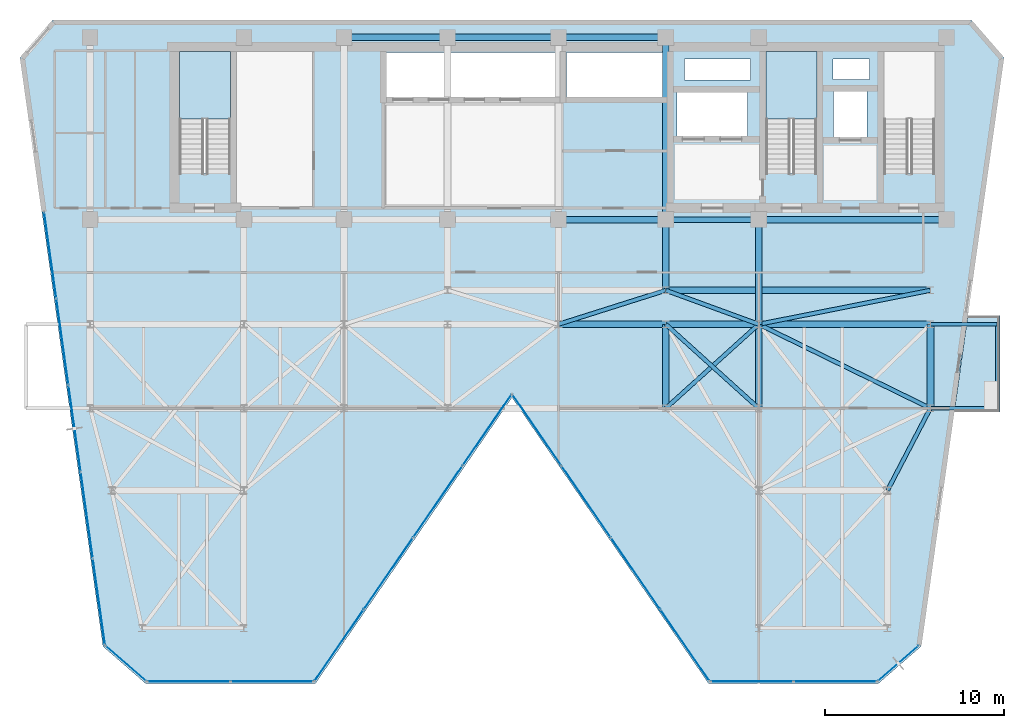
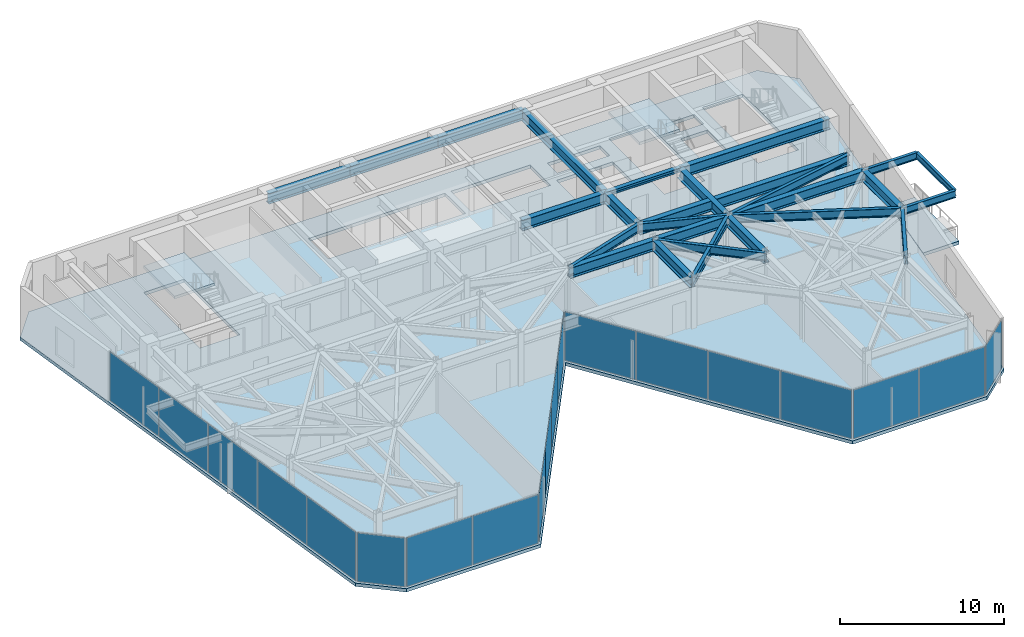
# One storey, part 21 of 26: 26 beams, 19 plates, 4 slabs, 9 elements without a shape of their own.
"""IFC4 building model written with IfcOpenShell, lengths in metres."""

from ifc_helpers import new_model, si_unit, direction, frame, origin, origin_2d, place, context, subcontext, project, spatial, polyline, rectangle, i_section, outline, extrude, material, layer, layer_set, material_profile, profile_set, type_object, element, aggregate, save


model = new_model("IFC4")

# Units and contexts
model_context = context("Model", 3, precision=1e-05, world=origin(), true_north=direction((0.0, 1.0)))
body_context = subcontext(model_context, "Body", "Model", "MODEL_VIEW")
ifc_project = project(units=[si_unit("LENGTHUNIT", "METRE"), si_unit("AREAUNIT", "SQUARE_METRE"), si_unit("VOLUMEUNIT", "CUBIC_METRE"), si_unit("PLANEANGLEUNIT", "RADIAN"), si_unit("MASSUNIT", "GRAM", prefix="KILO")], contexts=[model_context])

# Site, building, storey
site_placement = place(None, origin())
site = spatial("IfcSite", under=ifc_project, at=site_placement, CompositionType="ELEMENT")
building_placement = place(site_placement, origin())
building = spatial("IfcBuilding", under=site, at=building_placement, Name="Kravanh Interchange Tower", CompositionType="ELEMENT")
storey_placement = place(building_placement, frame((0.0, 0.0, 204.5)))
storey = spatial("IfcBuildingStorey", under=building, at=storey_placement, Name="L49", CompositionType="ELEMENT", Elevation=204.5)

# Beams
ifc_material_1 = material(Name="Structural Steel S355", Category="steel")
ifc_material_profile_1 = material_profile(ifc_material_1, i_section(OverallWidth=0.381103515625, OverallDepth=0.77294921875, WebThickness=0.0166015625, FlangeThickness=0.027099609375, FilletRadius=0.02490234375, at=origin_2d()), Name="W30X173")
ifc_profile_set_1 = profile_set([ifc_material_profile_1], Name="Structural Steel S355")
beam_type_1 = type_object("IfcBeamType", Name="Floor Beam W30X173 Structural Steel S355", PredefinedType="BEAM", material=ifc_profile_set_1)
beam_1_placement = place(storey_placement, frame((66.5, 37.35009765625, 3.368408203125), z_axis=(-1.0, 0.0, 0.0), x_axis=(0.0, -1.0, 0.0)))
element("IfcBeam", 1, at=beam_1_placement, inside=storey, type_object=beam_type_1, Name="L49 Primary Floor Girder 5", PredefinedType="BEAM", context=body_context, shape_type="SweptSolid", body=[
    extrude(i_section(OverallWidth=0.381103515625, OverallDepth=0.77294921875, WebThickness=0.0166015625, FlangeThickness=0.027099609375, FilletRadius=0.02490234375, at=origin_2d()), origin(), (0.0, 0.0, 1.0), 10.5),
])
beam_2_placement = place(storey_placement, frame((56.0, 37.35009765625, 3.368408203125), z_axis=(0.0, -1.0, 0.0), x_axis=(1.0, 0.0, 0.0)))
element("IfcBeam", 2, at=beam_2_placement, inside=storey, type_object=beam_type_1, Name="L49 Primary Floor Girder 7", PredefinedType="BEAM", context=body_context, shape_type="SweptSolid", body=[
    extrude(i_section(OverallWidth=0.381103515625, OverallDepth=0.77294921875, WebThickness=0.0166015625, FlangeThickness=0.027099609375, FilletRadius=0.02490234375, at=origin_2d()), origin(), (0.0, 0.0, 1.0), 5.85009765625),
])
beam_3_placement = place(storey_placement, frame((50.800048828125, 47.550048828125, 3.368408203125), z_axis=(-1.0, 0.0, 0.0), x_axis=(0.0, -1.0, 0.0)))
element("IfcBeam", 3, at=beam_3_placement, inside=storey, type_object=beam_type_1, Name="L49 Primary Floor Girder 8", PredefinedType="BEAM", context=body_context, shape_type="SweptSolid", body=[
    extrude(i_section(OverallWidth=0.381103515625, OverallDepth=0.77294921875, WebThickness=0.0166015625, FlangeThickness=0.027099609375, FilletRadius=0.02490234375, at=origin_2d()), origin(), (0.0, 0.0, 1.0), 6.0),
])
beam_4_placement = place(storey_placement, frame((50.800048828125, 47.550048828125, 3.368408203125), z_axis=(0.0, -1.0, 0.0), x_axis=(1.0, 0.0, 0.0)))
element("IfcBeam", 4, at=beam_4_placement, inside=storey, type_object=beam_type_1, Name="L49 Primary Floor Girder 9", PredefinedType="BEAM", context=body_context, shape_type="SweptSolid", body=[
    extrude(i_section(OverallWidth=0.381103515625, OverallDepth=0.77294921875, WebThickness=0.0166015625, FlangeThickness=0.027099609375, FilletRadius=0.02490234375, at=origin_2d()), origin(), (0.0, 0.0, 1.0), 10.199951171875),
])
beam_5_placement = place(storey_placement, frame((50.800048828125, 37.35009765625, 3.368408203125), z_axis=(0.0, -1.0, 0.0), x_axis=(1.0, 0.0, 0.0)))
element("IfcBeam", 5, at=beam_5_placement, inside=storey, type_object=beam_type_1, Name="L49 Primary Floor Girder 10", PredefinedType="BEAM", context=body_context, shape_type="SweptSolid", body=[
    extrude(i_section(OverallWidth=0.381103515625, OverallDepth=0.77294921875, WebThickness=0.0166015625, FlangeThickness=0.027099609375, FilletRadius=0.02490234375, at=origin_2d()), origin(), (0.0, 0.0, 1.0), 3.9501953125),
])
beam_6_placement = place(storey_placement, frame((50.800048828125, 37.35009765625, 3.368408203125), z_axis=(-1.0, 0.0, 0.0), x_axis=(0.0, -1.0, 0.0)))
element("IfcBeam", 6, at=beam_6_placement, inside=storey, type_object=beam_type_1, Name="L49 Primary Floor Girder 11", PredefinedType="BEAM", context=body_context, shape_type="SweptSolid", body=[
    extrude(i_section(OverallWidth=0.381103515625, OverallDepth=0.77294921875, WebThickness=0.0166015625, FlangeThickness=0.027099609375, FilletRadius=0.02490234375, at=origin_2d()), origin(), (0.0, 0.0, 1.0), 6.0),
])
beam_7_placement = place(storey_placement, frame((44.800048828125, 47.550048828125, 3.368408203125), z_axis=(-1.0, 0.0, 0.0), x_axis=(0.0, -1.0, 0.0)))
element("IfcBeam", 7, at=beam_7_placement, inside=storey, type_object=beam_type_1, Name="L49 Primary Floor Girder 15", PredefinedType="BEAM", context=body_context, shape_type="SweptSolid", body=[
    extrude(i_section(OverallWidth=0.381103515625, OverallDepth=0.77294921875, WebThickness=0.0166015625, FlangeThickness=0.027099609375, FilletRadius=0.02490234375, at=origin_2d()), origin(), (0.0, 0.0, 1.0), 6.199951171875),
])
beam_8_placement = place(storey_placement, frame((38.60009765625, 47.550048828125, 3.368408203125), z_axis=(-1.0, 0.0, 0.0), x_axis=(0.0, -1.0, 0.0)))
element("IfcBeam", 8, at=beam_8_placement, inside=storey, type_object=beam_type_1, Name="L49 Primary Floor Girder 19", PredefinedType="BEAM", context=body_context, shape_type="SweptSolid", body=[
    extrude(i_section(OverallWidth=0.381103515625, OverallDepth=0.77294921875, WebThickness=0.0166015625, FlangeThickness=0.027099609375, FilletRadius=0.02490234375, at=origin_2d()), origin(), (0.0, 0.0, 1.0), 5.800048828125),
])
for number, where, z_axis, x_axis, name in (
    (9, (50.800048828125, 26.800048828125, 3.368408203125), (0.0, 1.0, 0.0), (-1.0, 0.0, 0.0), "L49 Primary Floor Girder 49"),
    (10, (56.0, 26.800048828125, 3.368408203125), (0.0, 1.0, 0.0), (-1.0, 0.0, 0.0), "L49 Primary Floor Girder 54"),
    (11, (65.60009765625, 26.800048828125, 3.368408203125), (0.0, 1.0, 0.0), (-1.0, 0.0, 0.0), "L49 Primary Floor Girder 57"),
):
    element("IfcBeam", number, at=place(storey_placement, frame(where, z_axis=z_axis, x_axis=x_axis)), inside=storey, type_object=beam_type_1, Name=name, PredefinedType="BEAM", context=body_context, shape_type="SweptSolid", body=[
        extrude(i_section(OverallWidth=0.381103515625, OverallDepth=0.77294921875, WebThickness=0.0166015625, FlangeThickness=0.027099609375, FilletRadius=0.02490234375, at=origin_2d()), origin(), (0.0, 0.0, 1.0), 4.699951171875),
    ])
beam_9_placement = place(storey_placement, frame((44.800048828125, 31.5, 3.368408203125), z_axis=(1.0, 0.0, 0.0), x_axis=(0.0, 1.0, 0.0)))
element("IfcBeam", 12, at=beam_9_placement, inside=storey, type_object=beam_type_1, Name="L49 Primary Floor Girder 74", PredefinedType="BEAM", context=body_context, shape_type="SweptSolid", body=[
    extrude(i_section(OverallWidth=0.381103515625, OverallDepth=0.77294921875, WebThickness=0.0166015625, FlangeThickness=0.027099609375, FilletRadius=0.02490234375, at=origin_2d()), origin(), (0.0, 0.0, 1.0), 6.0),
])
beam_10_placement = place(storey_placement, frame((50.800048828125, 31.5, 3.368408203125), z_axis=(1.0, 0.0, 0.0), x_axis=(0.0, 1.0, 0.0)))
element("IfcBeam", 13, at=beam_10_placement, inside=storey, type_object=beam_type_1, Name="L49 Primary Floor Girder 77", PredefinedType="BEAM", context=body_context, shape_type="SweptSolid", body=[
    extrude(i_section(OverallWidth=0.381103515625, OverallDepth=0.77294921875, WebThickness=0.0166015625, FlangeThickness=0.027099609375, FilletRadius=0.02490234375, at=origin_2d()), origin(), (0.0, 0.0, 1.0), 5.199951171875),
])
beam_11_placement = place(storey_placement, frame((56.0, 31.5, 3.368408203125), z_axis=(1.0, 0.0, 0.0), x_axis=(0.0, 1.0, 0.0)))
element("IfcBeam", 14, at=beam_11_placement, inside=storey, type_object=beam_type_1, Name="L49 Primary Floor Girder 81", PredefinedType="BEAM", context=body_context, shape_type="SweptSolid", body=[
    extrude(i_section(OverallWidth=0.381103515625, OverallDepth=0.77294921875, WebThickness=0.0166015625, FlangeThickness=0.027099609375, FilletRadius=0.02490234375, at=origin_2d()), origin(), (0.0, 0.0, 1.0), 9.60009765625),
])
beam_12_placement = place(storey_placement, frame((50.800048828125, 33.39990234375, 3.368408203125), z_axis=(1.0, 0.0, 0.0), x_axis=(0.0, 1.0, 0.0)))
element("IfcBeam", 15, at=beam_12_placement, inside=storey, type_object=beam_type_1, Name="L49 Primary Floor Girder 95", PredefinedType="BEAM", context=body_context, shape_type="SweptSolid", body=[
    extrude(i_section(OverallWidth=0.381103515625, OverallDepth=0.77294921875, WebThickness=0.0166015625, FlangeThickness=0.027099609375, FilletRadius=0.02490234375, at=origin_2d()), origin(), (0.0, 0.0, 1.0), 14.800048828125),
])
ifc_material_2 = material(Name="Structural Steel S355", Category="steel")
ifc_material_profile_2 = material_profile(ifc_material_2, i_section(OverallWidth=0.18994140625, OverallDepth=0.45703125, WebThickness=0.009033203125, FlangeThickness=0.014404296875, FilletRadius=0.01806640625, at=origin_2d()), Name="W18X50")
ifc_profile_set_2 = profile_set([ifc_material_profile_2], Name="Structural Steel S355")
beam_type_2 = type_object("IfcBeamType", Name="Floor Joist W18X50 Structural Steel S355", PredefinedType="JOIST", material=ifc_profile_set_2)
beam_13_placement = place(storey_placement, frame((69.330078125, 26.800048828125, 3.526611328125), z_axis=(0.0, 1.0, 0.0), x_axis=(-1.0, 0.0, 0.0)))
element("IfcBeam", 16, at=beam_13_placement, inside=storey, type_object=beam_type_2, Name="L49 Balcony Edge Tie Beam E", PredefinedType="JOIST", context=body_context, shape_type="SweptSolid", body=[
    extrude(i_section(OverallWidth=0.18994140625, OverallDepth=0.45703125, WebThickness=0.009033203125, FlangeThickness=0.014404296875, FilletRadius=0.01806640625, at=origin_2d()), origin(), (0.0, 0.0, 1.0), 4.699951171875),
])
ifc_material_3 = material(Name="Structural Steel S355", Category="steel")
ifc_material_profile_3 = material_profile(ifc_material_3, i_section(OverallWidth=0.304931640625, OverallDepth=0.306884765625, WebThickness=0.010009765625, FlangeThickness=0.015380859375, FilletRadius=0.014892578125, at=origin_2d()), Name="W12X65")
ifc_profile_set_3 = profile_set([ifc_material_profile_3], Name="Structural Steel S355")
beam_type_3 = type_object("IfcBeamType", Name="Floor Lintel W12X65 Structural Steel S355", PredefinedType="LINTEL", material=ifc_profile_set_3)
beam_14_placement = place(storey_placement, frame((50.800048828125, 37.35009765625, 3.6015625), z_axis=(1.0, 0.0, 0.0), x_axis=(0.0, 1.0, 0.0)))
element("IfcBeam", 17, at=beam_14_placement, inside=storey, type_object=beam_type_3, Name="L49 Core Coupling Lintel 1", PredefinedType="LINTEL", context=body_context, shape_type="SweptSolid", body=[
    extrude(i_section(OverallWidth=0.304931640625, OverallDepth=0.306884765625, WebThickness=0.010009765625, FlangeThickness=0.015380859375, FilletRadius=0.014892578125, at=origin_2d()), origin(), (0.0, 0.0, 1.0), 5.199951171875),
])
ifc_material_4 = material(Name="Structural Steel S355", Category="steel")
ifc_material_profile_4 = material_profile(ifc_material_4, i_section(OverallWidth=0.2099609375, OverallDepth=0.537109375, WebThickness=0.010986328125, FlangeThickness=0.017333984375, FilletRadius=0.02001953125, at=origin_2d()), Name="W21X68")
ifc_profile_set_4 = profile_set([ifc_material_profile_4], Name="Structural Steel S355")
beam_type_4 = type_object("IfcBeamType", Name="Floor Spandrel W21X68 Structural Steel S355", PredefinedType="SPANDREL", material=ifc_profile_set_4)
for number, where, z_axis, x_axis, name in (
    (18, (65.60009765625, 26.800048828125, 3.486572265625), (1.0, 0.0, 0.0), (0.0, 1.0, 0.0), "L49 Balcony Cantilever Outrigger E1"),
    (19, (65.60009765625, 31.5, 3.486572265625), (1.0, 0.0, 0.0), (0.0, 1.0, 0.0), "L49 Balcony Cantilever Outrigger E2"),
):
    element("IfcBeam", number, at=place(storey_placement, frame(where, z_axis=z_axis, x_axis=x_axis)), inside=storey, type_object=beam_type_4, Name=name, PredefinedType="SPANDREL", context=body_context, shape_type="SweptSolid", body=[
        extrude(i_section(OverallWidth=0.2099609375, OverallDepth=0.537109375, WebThickness=0.010986328125, FlangeThickness=0.017333984375, FilletRadius=0.02001953125, at=origin_2d()), origin(), (0.0, 0.0, 1.0), 3.72998046875),
    ])
ifc_material_5 = material(Name="Structural Steel S355", Category="steel")
ifc_material_profile_5 = material_profile(ifc_material_5, i_section(OverallWidth=0.22802734375, OverallDepth=0.60791015625, WebThickness=0.01123046875, FlangeThickness=0.017333984375, FilletRadius=0.02197265625, at=origin_2d()), Name="W24X76")
ifc_profile_set_5 = profile_set([ifc_material_profile_5], Name="Structural Steel S355")
beam_type_5 = type_object("IfcBeamType", Name="Floor Spandrel W24X76 Structural Steel S355", PredefinedType="SPANDREL", material=ifc_profile_set_5)
for number, where, z_axis, x_axis, name in (
    (20, (50.800048828125, 26.800048828125, 3.450927734375), (0.741874009795, 0.670539300557, 0.0), (-0.670539300557, 0.741874009795, 0.0), "L49 Perimeter Spandrel 52"),
    (21, (56.0, 26.800048828125, 3.450927734375), (-0.741874009795, 0.670539300557, 0.0), (-0.670539300557, -0.741874009795, 0.0), "L49 Perimeter Spandrel 55"),
):
    element("IfcBeam", number, at=place(storey_placement, frame(where, z_axis=z_axis, x_axis=x_axis)), inside=storey, type_object=beam_type_5, Name=name, PredefinedType="SPANDREL", context=body_context, shape_type="SweptSolid", body=[
        extrude(i_section(OverallWidth=0.22802734375, OverallDepth=0.60791015625, WebThickness=0.01123046875, FlangeThickness=0.017333984375, FilletRadius=0.02197265625, at=origin_2d()), origin(), (0.0, 0.0, 1.0), 7.00927734375),
    ])
beam_15_placement = place(storey_placement, frame((65.60009765625, 26.800048828125, 3.450927734375), z_axis=(-0.462580479178, -0.886577295155, 0.0), x_axis=(0.886577295155, -0.462580479178, 0.0)))
element("IfcBeam", 22, at=beam_15_placement, inside=storey, type_object=beam_type_5, Name="L49 Perimeter Spandrel 58", PredefinedType="SPANDREL", context=body_context, shape_type="SweptSolid", body=[
    extrude(i_section(OverallWidth=0.22802734375, OverallDepth=0.60791015625, WebThickness=0.01123046875, FlangeThickness=0.017333984375, FilletRadius=0.02197265625, at=origin_2d()), origin(), (0.0, 0.0, 1.0), 5.188720703125),
])
beam_16_placement = place(storey_placement, frame((65.60009765625, 26.800048828125, 3.450927734375), z_axis=(-0.898141688387, 0.439706160499, 0.0), x_axis=(-0.439706160499, -0.898141688387, 0.0)))
element("IfcBeam", 23, at=beam_16_placement, inside=storey, type_object=beam_type_5, Name="L49 Perimeter Spandrel 60", PredefinedType="SPANDREL", context=body_context, shape_type="SweptSolid", body=[
    extrude(i_section(OverallWidth=0.22802734375, OverallDepth=0.60791015625, WebThickness=0.01123046875, FlangeThickness=0.017333984375, FilletRadius=0.02197265625, at=origin_2d()), origin(), (0.0, 0.0, 1.0), 10.68896484375),
])
beam_17_placement = place(storey_placement, frame((44.800048828125, 31.5, 3.450927734375), z_axis=(0.953346691051, 0.301877602122, 0.0), x_axis=(-0.301877602122, 0.953346691051, 0.0)))
element("IfcBeam", 24, at=beam_17_placement, inside=storey, type_object=beam_type_5, Name="L49 Perimeter Spandrel 75", PredefinedType="SPANDREL", context=body_context, shape_type="SweptSolid", body=[
    extrude(i_section(OverallWidth=0.22802734375, OverallDepth=0.60791015625, WebThickness=0.01123046875, FlangeThickness=0.017333984375, FilletRadius=0.02197265625, at=origin_2d()), origin(), (0.0, 0.0, 1.0), 6.293701171875),
])
beam_18_placement = place(storey_placement, frame((56.0, 31.5, 3.450927734375), z_axis=(-0.93926957103, 0.343180233896, 0.0), x_axis=(-0.343180233896, -0.93926957103, 0.0)))
element("IfcBeam", 25, at=beam_18_placement, inside=storey, type_object=beam_type_5, Name="L49 Perimeter Spandrel 80", PredefinedType="SPANDREL", context=body_context, shape_type="SweptSolid", body=[
    extrude(i_section(OverallWidth=0.22802734375, OverallDepth=0.60791015625, WebThickness=0.01123046875, FlangeThickness=0.017333984375, FilletRadius=0.02197265625, at=origin_2d()), origin(), (0.0, 0.0, 1.0), 5.5361328125),
])
beam_19_placement = place(storey_placement, frame((56.0, 31.5, 3.450927734375), z_axis=(0.980974000807, 0.194139150457, 0.0), x_axis=(-0.194139150457, 0.980974000807, 0.0)))
element("IfcBeam", 26, at=beam_19_placement, inside=storey, type_object=beam_type_5, Name="L49 Perimeter Spandrel 82", PredefinedType="SPANDREL", context=body_context, shape_type="SweptSolid", body=[
    extrude(i_section(OverallWidth=0.22802734375, OverallDepth=0.60791015625, WebThickness=0.01123046875, FlangeThickness=0.017333984375, FilletRadius=0.02197265625, at=origin_2d()), origin(), (0.0, 0.0, 1.0), 9.786376953125),
])

# Slab
ifc_material_6 = material(Name="Concrete C50/60", Category="concrete")
ifc_layer_1 = layer(ifc_material_6, 0.2451171875)
ifc_layer_set_1 = layer_set([ifc_layer_1], Name="Composite Floor Slab Concrete C50/60 245mm")
slab_type_1 = type_object("IfcSlabType", Name="Composite Floor Slab Concrete C50/60 245mm", PredefinedType="FLOOR", material=ifc_layer_set_1)
slab_1_placement = place(storey_placement, frame((0.0, 0.0, -0.2451171875)))
element("IfcSlab", 27, at=slab_1_placement, inside=storey, type_object=slab_type_1, Name="L49 Structural Floor Slab", PredefinedType="FLOOR", context=body_context, shape_type="SweptSolid", body=[
    extrude(outline(polyline([(19.32177734375, 13.4794921875), (21.714111328125, 11.39990234375), (31.199951171875, 11.39990234375), (42.199951171875, 27.39990234375), (53.199951171875, 11.39990234375), (62.685791015625, 11.39990234375), (65.078125, 13.4794921875), (69.707763671875, 46.42041015625), (67.89990234375, 48.5), (16.5, 48.5), (14.6923828125, 46.42041015625), (19.32177734375, 13.4794921875)]), holes=[polyline([(65.85009765625, 39.925048828125), (65.85009765625, 46.75), (63.0, 46.75), (63.0, 39.925048828125), (65.85009765625, 39.925048828125)]), polyline([(59.25, 39.925048828125), (59.25, 46.75), (56.39990234375, 46.75), (56.39990234375, 39.925048828125), (59.25, 39.925048828125)]), polyline([(26.449951171875, 39.925048828125), (26.449951171875, 46.75), (23.60009765625, 46.75), (23.60009765625, 39.925048828125), (26.449951171875, 39.925048828125)]), polyline([(35.179931640625, 44.219970703125), (44.840087890625, 44.219970703125), (44.840087890625, 46.699951171875), (35.179931640625, 46.699951171875), (35.179931640625, 44.219970703125)]), polyline([(45.239990234375, 44.219970703125), (50.840087890625, 44.219970703125), (50.840087890625, 46.699951171875), (45.239990234375, 46.699951171875), (45.239990234375, 44.219970703125)]), polyline([(51.419921875, 42.02001953125), (55.3798828125, 42.02001953125), (55.3798828125, 44.47998046875), (51.419921875, 44.47998046875), (51.419921875, 42.02001953125)]), polyline([(60.179931640625, 41.97998046875), (62.06005859375, 41.97998046875), (62.06005859375, 44.52001953125), (60.179931640625, 44.52001953125), (60.179931640625, 41.97998046875)]), polyline([(60.14990234375, 45.199951171875), (62.199951171875, 45.199951171875), (62.199951171875, 46.35009765625), (60.14990234375, 46.35009765625), (60.14990234375, 45.199951171875)]), polyline([(51.85009765625, 45.14990234375), (55.550048828125, 45.14990234375), (55.550048828125, 46.35009765625), (51.85009765625, 46.35009765625), (51.85009765625, 45.14990234375)])]), origin(), (0.0, 0.0, 1.0), 0.2451171875),
])

# Stair, slab
ifc_material_7 = material(Name="Concrete C50/60", Category="concrete")
stair_type = type_object("IfcStairType", Name="Core Fire Exit Dogleg Stair Concrete C50/60", PredefinedType="HALF_TURN_STAIR", material=ifc_material_7)
stair_1_placement = place(storey_placement, origin())
stair_1 = element("IfcStair", 28, at=stair_1_placement, inside=storey, type_object=stair_type, Name="L49 Exit Stair ST2", PredefinedType="HALF_TURN_STAIR")
ifc_material_8 = material(Name="Concrete C50/60", Category="concrete")
ifc_layer_2 = layer(ifc_material_8, 0.199951171875)
ifc_layer_set_2 = layer_set([ifc_layer_2], Name="Concrete C50/60 Stair Half-Landing Slab 200mm")
slab_type_2 = type_object("IfcSlabType", Name="Concrete C50/60 Stair Half-Landing Slab 200mm", PredefinedType="LANDING", material=ifc_layer_set_2)
slab_2_placement = place(storey_placement, frame((0.0, 0.0, 1.800048828125)))
slab_2 = element("IfcSlab", 29, at=slab_2_placement, type_object=slab_type_2, Name="ST2 landing 1", PredefinedType="LANDING", context=body_context, shape_type="SweptSolid", body=[
    extrude(outline(polyline([(59.25, 42.97998046875), (59.25, 46.75), (56.39990234375, 46.75), (56.39990234375, 42.97998046875), (59.25, 42.97998046875)])), origin(), (0.0, 0.0, 1.0), 0.199951171875),
])
aggregate(stair_1, [slab_2])

stair_2_placement = place(storey_placement, origin())
stair_2 = element("IfcStair", 30, at=stair_2_placement, inside=storey, type_object=stair_type, Name="L49 Exit Stair ST3", PredefinedType="HALF_TURN_STAIR")
slab_3_placement = place(storey_placement, frame((0.0, 0.0, 1.800048828125)))
slab_3 = element("IfcSlab", 31, at=slab_3_placement, type_object=slab_type_2, Name="ST3 landing 1", PredefinedType="LANDING", context=body_context, shape_type="SweptSolid", body=[
    extrude(outline(polyline([(26.449951171875, 42.97998046875), (26.449951171875, 46.75), (23.60009765625, 46.75), (23.60009765625, 42.97998046875), (26.449951171875, 42.97998046875)])), origin(), (0.0, 0.0, 1.0), 0.199951171875),
])
aggregate(stair_2, [slab_3])

# Curtain wall, plates
ifc_material_9 = material(Name="Anodised Bronze Aluminium", Category="aluminium")
ifc_layer_3 = layer(ifc_material_9, 0.179931640625)
ifc_layer_set_3 = layer_set([ifc_layer_3], Name="Unitised Curtain Wall System CW-Z3 Upper Office")
curtain_wall_type = type_object("IfcCurtainWallType", Name="Unitised Curtain Wall System CW-Z3 Upper Office", PredefinedType="NOTDEFINED", material=ifc_layer_set_3)
curtain_wall_1_placement = place(storey_placement, origin())
curtain_wall_1 = element("IfcCurtainWall", 32, at=curtain_wall_1_placement, inside=storey, type_object=curtain_wall_type, Name="L49 Unitised Curtain Wall CW-L49-01", PredefinedType="NOTDEFINED")
ifc_material_10 = material(Name="Low-E Laminated Architectural Glass", Category="glass")
ifc_layer_4 = layer(ifc_material_10, 0.02392578125)
ifc_layer_set_4 = layer_set([ifc_layer_4], Name="High-Selectivity Double Glazing 24mm")
plate_type = type_object("IfcPlateType", Name="High-Selectivity Double Glazing 24mm", PredefinedType="CURTAIN_PANEL", material=ifc_layer_set_4)
plate_1_placement = place(storey_placement, frame((19.09130859375, 15.9814453125, 0.06005859375), z_axis=(0.0, 0.0, 1.0), x_axis=(-0.139172209446, 0.990268194035, 0.0)))
plate_1 = element("IfcPlate", 33, at=plate_1_placement, type_object=plate_type, Name="CW-Z3 panel 1.1", PredefinedType="CURTAIN_PANEL", context=body_context, shape_type="SweptSolid", body=[
    extrude(rectangle(XDim=4.8095703125, YDim=0.02392578125, at=origin_2d()), origin(), (0.0, 0.0, 1.0), 3.635009765625),
])
plate_2_placement = place(storey_placement, frame((18.41162109375, 20.818603515625, 0.06005859375), z_axis=(0.0, 0.0, 1.0), x_axis=(-0.139172209446, 0.990268194035, 0.0)))
plate_2 = element("IfcPlate", 34, at=plate_2_placement, type_object=plate_type, Name="CW-Z3 panel 2.1", PredefinedType="CURTAIN_PANEL", context=body_context, shape_type="SweptSolid", body=[
    extrude(rectangle(XDim=4.839599609375, YDim=0.02392578125, at=origin_2d()), origin(), (0.0, 0.0, 1.0), 3.635009765625),
])
plate_3_placement = place(storey_placement, frame((17.729736328125, 25.67041015625, 0.06005859375), z_axis=(0.0, 0.0, 1.0), x_axis=(-0.139172209446, 0.990268194035, 0.0)))
plate_3 = element("IfcPlate", 35, at=plate_3_placement, type_object=plate_type, Name="CW-Z3 panel 3.1", PredefinedType="CURTAIN_PANEL", context=body_context, shape_type="SweptSolid", body=[
    extrude(rectangle(XDim=4.839599609375, YDim=0.02392578125, at=origin_2d()), origin(), (0.0, 0.0, 1.0), 3.635009765625),
])
plate_4_placement = place(storey_placement, frame((17.0478515625, 30.522216796875, 0.06005859375), z_axis=(0.0, 0.0, 1.0), x_axis=(-0.139172209446, 0.990268194035, 0.0)))
plate_4 = element("IfcPlate", 36, at=plate_4_placement, type_object=plate_type, Name="CW-Z3 panel 4.1", PredefinedType="CURTAIN_PANEL", context=body_context, shape_type="SweptSolid", body=[
    extrude(rectangle(XDim=4.839599609375, YDim=0.02392578125, at=origin_2d()), origin(), (0.0, 0.0, 1.0), 3.635009765625),
])
plate_5_placement = place(storey_placement, frame((16.367919921875, 35.359130859375, 0.06005859375), z_axis=(0.0, 0.0, 1.0), x_axis=(-0.139172209446, 0.990268194035, 0.0)))
plate_5 = element("IfcPlate", 37, at=plate_5_placement, type_object=plate_type, Name="CW-Z3 panel 5.1", PredefinedType="CURTAIN_PANEL", context=body_context, shape_type="SweptSolid", body=[
    extrude(rectangle(XDim=4.8095703125, YDim=0.02392578125, at=origin_2d()), origin(), (0.0, 0.0, 1.0), 3.635009765625),
])
aggregate(curtain_wall_1, [plate_1, plate_2, plate_3, plate_4, plate_5])

# Curtain wall, plate
curtain_wall_2_placement = place(storey_placement, origin())
curtain_wall_2 = element("IfcCurtainWall", 38, at=curtain_wall_2_placement, inside=storey, type_object=curtain_wall_type, Name="L49 Unitised Curtain Wall CW-L49-02", PredefinedType="NOTDEFINED")
plate_6_placement = place(storey_placement, frame((63.80322265625, 12.5302734375, 0.06005859375), z_axis=(0.0, 0.0, 1.0), x_axis=(-0.754716645379, -0.65605090137, 0.0)))
plate_6 = element("IfcPlate", 39, at=plate_6_placement, type_object=plate_type, Name="CW-Z3 panel 1.1", PredefinedType="CURTAIN_PANEL", context=body_context, shape_type="SweptSolid", body=[
    extrude(rectangle(XDim=2.960205078125, YDim=0.02392578125, at=origin_2d()), origin(), (0.0, 0.0, 1.0), 3.635009765625),
])
aggregate(curtain_wall_2, [plate_6])

# Curtain wall, plates
curtain_wall_3_placement = place(storey_placement, origin())
curtain_wall_3 = element("IfcCurtainWall", 40, at=curtain_wall_3_placement, inside=storey, type_object=curtain_wall_type, Name="L49 Unitised Curtain Wall CW-L49-03", PredefinedType="NOTDEFINED")
plate_7_placement = place(storey_placement, frame((60.281494140625, 11.52001953125, 0.06005859375), z_axis=(0.0, 0.0, 1.0), x_axis=(-1.0, 0.0, 0.0)))
plate_7 = element("IfcPlate", 41, at=plate_7_placement, type_object=plate_type, Name="CW-Z3 panel 1.1", PredefinedType="CURTAIN_PANEL", context=body_context, shape_type="SweptSolid", body=[
    extrude(rectangle(XDim=4.598876953125, YDim=0.02392578125, at=origin_2d()), origin(), (0.0, 0.0, 1.0), 3.635009765625),
])
plate_8_placement = place(storey_placement, frame((55.62255859375, 11.52001953125, 0.06005859375), z_axis=(0.0, 0.0, 1.0), x_axis=(-1.0, 0.0, 0.0)))
plate_8 = element("IfcPlate", 42, at=plate_8_placement, type_object=plate_type, Name="CW-Z3 panel 2.1", PredefinedType="CURTAIN_PANEL", context=body_context, shape_type="SweptSolid", body=[
    extrude(rectangle(XDim=4.598876953125, YDim=0.02392578125, at=origin_2d()), origin(), (0.0, 0.0, 1.0), 3.635009765625),
])
aggregate(curtain_wall_3, [plate_7, plate_8])

curtain_wall_4_placement = place(storey_placement, origin())
curtain_wall_4 = element("IfcCurtainWall", 43, at=curtain_wall_4_placement, inside=storey, type_object=curtain_wall_type, Name="L49 Unitised Curtain Wall CW-L49-04", PredefinedType="NOTDEFINED")
plate_9_placement = place(storey_placement, frame((51.871826171875, 13.5439453125, 0.06005859375), z_axis=(0.0, 0.0, 1.0), x_axis=(-0.566528388217, 0.824042223035, 0.0)))
plate_9 = element("IfcPlate", 44, at=plate_9_placement, type_object=plate_type, Name="CW-Z3 panel 1.1", PredefinedType="CURTAIN_PANEL", context=body_context, shape_type="SweptSolid", body=[
    extrude(rectangle(XDim=4.7919921875, YDim=0.02392578125, at=origin_2d()), origin(), (0.0, 0.0, 1.0), 3.635009765625),
])
plate_10_placement = place(storey_placement, frame((49.114501953125, 17.554443359375, 0.06005859375), z_axis=(0.0, 0.0, 1.0), x_axis=(-0.566528388217, 0.824042223035, 0.0)))
plate_10 = element("IfcPlate", 45, at=plate_10_placement, type_object=plate_type, Name="CW-Z3 panel 2.1", PredefinedType="CURTAIN_PANEL", context=body_context, shape_type="SweptSolid", body=[
    extrude(rectangle(XDim=4.822021484375, YDim=0.02392578125, at=origin_2d()), origin(), (0.0, 0.0, 1.0), 3.635009765625),
])
plate_11_placement = place(storey_placement, frame((46.3486328125, 21.577392578125, 0.06005859375), z_axis=(0.0, 0.0, 1.0), x_axis=(-0.566528388217, 0.824042223035, 0.0)))
plate_11 = element("IfcPlate", 46, at=plate_11_placement, type_object=plate_type, Name="CW-Z3 panel 3.1", PredefinedType="CURTAIN_PANEL", context=body_context, shape_type="SweptSolid", body=[
    extrude(rectangle(XDim=4.822021484375, YDim=0.02392578125, at=origin_2d()), origin(), (0.0, 0.0, 1.0), 3.635009765625),
])
plate_12_placement = place(storey_placement, frame((43.59130859375, 25.587890625, 0.06005859375), z_axis=(0.0, 0.0, 1.0), x_axis=(-0.566528388217, 0.824042223035, 0.0)))
plate_12 = element("IfcPlate", 47, at=plate_12_placement, type_object=plate_type, Name="CW-Z3 panel 4.1", PredefinedType="CURTAIN_PANEL", context=body_context, shape_type="SweptSolid", body=[
    extrude(rectangle(XDim=4.7919921875, YDim=0.02392578125, at=origin_2d()), origin(), (0.0, 0.0, 1.0), 3.635009765625),
])
aggregate(curtain_wall_4, [plate_9, plate_10, plate_11, plate_12])

curtain_wall_5_placement = place(storey_placement, origin())
curtain_wall_5 = element("IfcCurtainWall", 48, at=curtain_wall_5_placement, inside=storey, type_object=curtain_wall_type, Name="L49 Unitised Curtain Wall CW-L49-05", PredefinedType="NOTDEFINED")
plate_13_placement = place(storey_placement, frame((40.80859375, 25.587890625, 0.06005859375), z_axis=(0.0, 0.0, 1.0), x_axis=(-0.566528388217, -0.824042223035, 0.0)))
plate_13 = element("IfcPlate", 49, at=plate_13_placement, type_object=plate_type, Name="CW-Z3 panel 1.1", PredefinedType="CURTAIN_PANEL", context=body_context, shape_type="SweptSolid", body=[
    extrude(rectangle(XDim=4.7919921875, YDim=0.02392578125, at=origin_2d()), origin(), (0.0, 0.0, 1.0), 3.635009765625),
])
plate_14_placement = place(storey_placement, frame((38.05126953125, 21.577392578125, 0.06005859375), z_axis=(0.0, 0.0, 1.0), x_axis=(-0.566528388217, -0.824042223035, 0.0)))
plate_14 = element("IfcPlate", 50, at=plate_14_placement, type_object=plate_type, Name="CW-Z3 panel 2.1", PredefinedType="CURTAIN_PANEL", context=body_context, shape_type="SweptSolid", body=[
    extrude(rectangle(XDim=4.822021484375, YDim=0.02392578125, at=origin_2d()), origin(), (0.0, 0.0, 1.0), 3.635009765625),
])
plate_15_placement = place(storey_placement, frame((35.28564453125, 17.554443359375, 0.06005859375), z_axis=(0.0, 0.0, 1.0), x_axis=(-0.566528388217, -0.824042223035, 0.0)))
plate_15 = element("IfcPlate", 51, at=plate_15_placement, type_object=plate_type, Name="CW-Z3 panel 3.1", PredefinedType="CURTAIN_PANEL", context=body_context, shape_type="SweptSolid", body=[
    extrude(rectangle(XDim=4.822021484375, YDim=0.02392578125, at=origin_2d()), origin(), (0.0, 0.0, 1.0), 3.635009765625),
])
plate_16_placement = place(storey_placement, frame((32.5283203125, 13.5439453125, 0.06005859375), z_axis=(0.0, 0.0, 1.0), x_axis=(-0.566528388217, -0.824042223035, 0.0)))
plate_16 = element("IfcPlate", 52, at=plate_16_placement, type_object=plate_type, Name="CW-Z3 panel 4.1", PredefinedType="CURTAIN_PANEL", context=body_context, shape_type="SweptSolid", body=[
    extrude(rectangle(XDim=4.7919921875, YDim=0.02392578125, at=origin_2d()), origin(), (0.0, 0.0, 1.0), 3.635009765625),
])
aggregate(curtain_wall_5, [plate_13, plate_14, plate_15, plate_16])

curtain_wall_6_placement = place(storey_placement, origin())
curtain_wall_6 = element("IfcCurtainWall", 53, at=curtain_wall_6_placement, inside=storey, type_object=curtain_wall_type, Name="L49 Unitised Curtain Wall CW-L49-06", PredefinedType="NOTDEFINED")
plate_17_placement = place(storey_placement, frame((28.77734375, 11.52001953125, 0.06005859375), z_axis=(0.0, 0.0, 1.0), x_axis=(-1.0, 0.0, 0.0)))
plate_17 = element("IfcPlate", 54, at=plate_17_placement, type_object=plate_type, Name="CW-Z3 panel 1.1", PredefinedType="CURTAIN_PANEL", context=body_context, shape_type="SweptSolid", body=[
    extrude(rectangle(XDim=4.598876953125, YDim=0.02392578125, at=origin_2d()), origin(), (0.0, 0.0, 1.0), 3.635009765625),
])
plate_18_placement = place(storey_placement, frame((24.118408203125, 11.52001953125, 0.06005859375), z_axis=(0.0, 0.0, 1.0), x_axis=(-1.0, 0.0, 0.0)))
plate_18 = element("IfcPlate", 55, at=plate_18_placement, type_object=plate_type, Name="CW-Z3 panel 2.1", PredefinedType="CURTAIN_PANEL", context=body_context, shape_type="SweptSolid", body=[
    extrude(rectangle(XDim=4.598876953125, YDim=0.02392578125, at=origin_2d()), origin(), (0.0, 0.0, 1.0), 3.635009765625),
])
aggregate(curtain_wall_6, [plate_17, plate_18])

# Curtain wall, plate
curtain_wall_7_placement = place(storey_placement, origin())
curtain_wall_7 = element("IfcCurtainWall", 56, at=curtain_wall_7_placement, inside=storey, type_object=curtain_wall_type, Name="L49 Unitised Curtain Wall CW-L49-07", PredefinedType="NOTDEFINED")
plate_19_placement = place(storey_placement, frame((20.5966796875, 12.5302734375, 0.06005859375), z_axis=(0.0, 0.0, 1.0), x_axis=(-0.754716645379, 0.65605090137, 0.0)))
plate_19 = element("IfcPlate", 57, at=plate_19_placement, type_object=plate_type, Name="CW-Z3 panel 1.1", PredefinedType="CURTAIN_PANEL", context=body_context, shape_type="SweptSolid", body=[
    extrude(rectangle(XDim=2.960205078125, YDim=0.02392578125, at=origin_2d()), origin(), (0.0, 0.0, 1.0), 3.635009765625),
])
aggregate(curtain_wall_7, [plate_19])

# Slab
ifc_material_11 = material(Name="Concrete C50/60", Category="concrete")
ifc_layer_5 = layer(ifc_material_11, 0.199951171875)
ifc_layer_set_5 = layer_set([ifc_layer_5], Name="Planted Tree Balcony Slab Concrete C50/60 200mm")
slab_type_3 = type_object("IfcSlabType", Name="Planted Tree Balcony Slab Concrete C50/60 200mm", PredefinedType="USERDEFINED", material=ifc_layer_set_5)
slab_4_placement = place(storey_placement, frame((0.0, 0.0, -0.2451171875)))
element("IfcSlab", 58, at=slab_4_placement, inside=storey, type_object=slab_type_3, Name="L49 East Tree Planter Balcony Slab", ObjectType="BALCONY", PredefinedType="USERDEFINED", context=body_context, shape_type="SweptSolid", body=[
    extrude(outline(polyline([(69.489990234375, 31.989990234375), (69.489990234375, 26.590087890625), (66.935791015625, 26.590087890625), (67.69482421875, 31.989990234375), (69.489990234375, 31.989990234375)])), origin(), (0.0, 0.0, 1.0), 0.2451171875),
])

save(model, "model.ifc")
